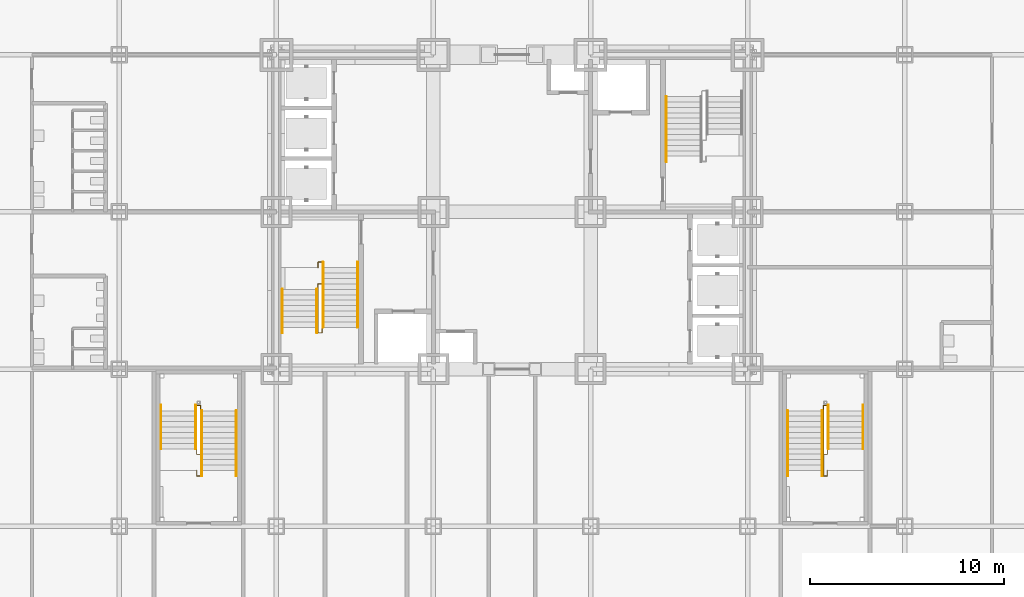
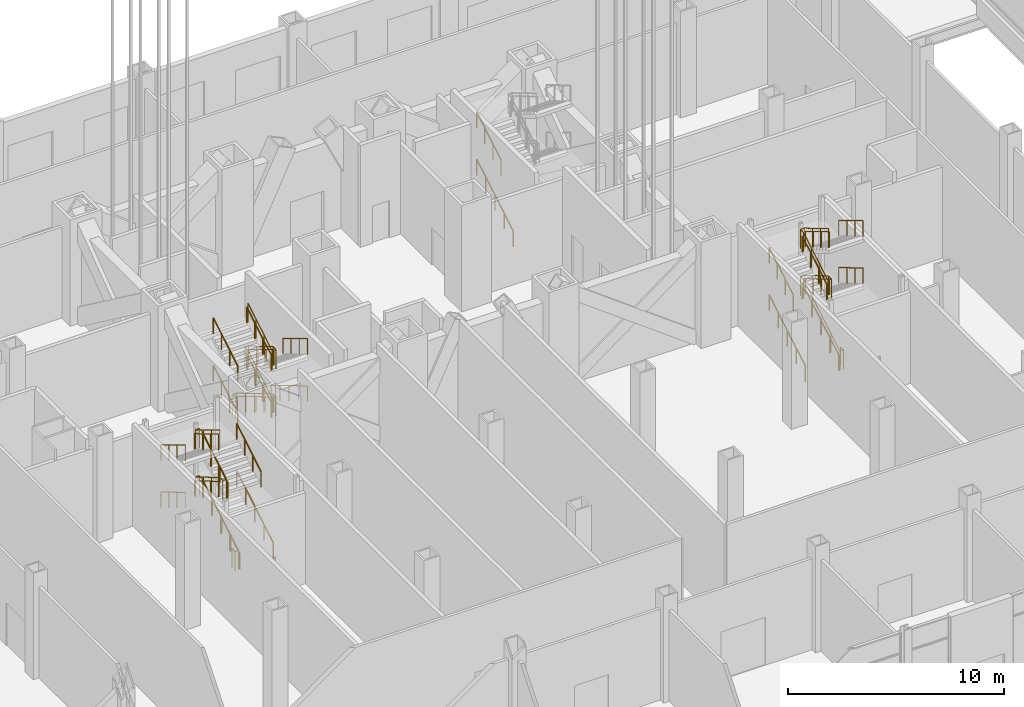
# One storey, part 28 of 35: 29 railings.
"""IFC4 building model written with IfcOpenShell, lengths in metres."""

from ifc_helpers import new_model, si_unit, direction, frame, origin, origin_2d, place, context, subcontext, project, spatial, circle, extrude, material, type_object, element, save


model = new_model("IFC4")

# Units and contexts
model_context = context("Model", 3, precision=1e-05, world=origin(), true_north=direction((0.0, 1.0)))
body_context = subcontext(model_context, "Body", "Model", "MODEL_VIEW")
ifc_project = project(units=[si_unit("LENGTHUNIT", "METRE"), si_unit("AREAUNIT", "SQUARE_METRE"), si_unit("VOLUMEUNIT", "CUBIC_METRE"), si_unit("PLANEANGLEUNIT", "RADIAN"), si_unit("MASSUNIT", "GRAM", prefix="KILO")], contexts=[model_context])

# Site, building, storey
site_placement = place(None, origin())
site = spatial("IfcSite", under=ifc_project, at=site_placement, CompositionType="ELEMENT")
building_placement = place(site_placement, origin())
building = spatial("IfcBuilding", under=site, at=building_placement, Name="Kopane Lantern Tower", CompositionType="ELEMENT")
storey_placement = place(building_placement, origin())
storey = spatial("IfcBuildingStorey", under=building, at=storey_placement, Name="L00", CompositionType="ELEMENT", Elevation=0.0)

# Railings
ifc_material_1 = material(Name="Steel", Category="steel")
railing_type_1 = type_object("IfcRailingType", Name="STAIR GUARD 1100", PredefinedType="GUARDRAIL", material=ifc_material_1)
railing_1_placement = place(storey_placement, frame((18.35009765625, 29.530029296875, 0.0)))
element("IfcRailing", 1, at=railing_1_placement, inside=storey, type_object=railing_type_1, Name="ST1 well guard L00", PredefinedType="GUARDRAIL", context=body_context, shape_type="SweptSolid", body=[
    extrude(circle(Radius=0.02392578125, at=origin_2d()), frame((0.0, 0.0, 1.076171875), z_axis=(0.0, 1.0, 0.0), x_axis=(-1.0, 0.0, 0.0)), (0.0, 0.0, 1.0), 0.280029296875),
    extrude(circle(Radius=0.02392578125, at=origin_2d()), frame((0.0, 0.280029296875, 1.076171875), z_axis=(1.0, 0.0, 0.0), x_axis=(0.0, 1.0, 0.0)), (0.0, 0.0, 1.0), 0.199951171875),
    extrude(circle(Radius=0.02392578125, at=origin_2d()), frame((0.199951171875, 0.280029296875, 1.076171875), z_axis=(0.0, -0.859300071335, 0.511471785539), x_axis=(1.0, 0.0, 0.0)), (0.0, 0.0, 1.0), 3.910400390625),
    extrude(circle(Radius=0.02392578125, at=origin_2d()), frame((0.199951171875, -3.080078125, 3.076171875), z_axis=(0.0, -1.0, 0.0), x_axis=(1.0, 0.0, 0.0)), (0.0, 0.0, 1.0), 0.280029296875),
    extrude(circle(Radius=0.02392578125, at=origin_2d()), frame((0.199951171875, -3.360107421875, 3.076171875), z_axis=(-1.0, 0.0, 0.0), x_axis=(0.0, -1.0, 0.0)), (0.0, 0.0, 1.0), 0.199951171875),
    extrude(circle(Radius=0.02392578125, at=origin_2d()), frame((0.0, -3.360107421875, 3.076171875), z_axis=(0.0, 0.859305625298, 0.511462454469), x_axis=(-1.0, 0.0, 0.0)), (0.0, 0.0, 1.0), 2.606689453125),
    extrude(circle(Radius=0.02392578125, at=origin_2d()), frame((0.0, -1.1201171875, 4.4091796875), z_axis=(0.0, 1.0, 0.0), x_axis=(-1.0, 0.0, 0.0)), (0.0, 0.0, 1.0), 0.280029296875),
    extrude(circle(Radius=0.02392578125, at=origin_2d()), frame((0.0, -0.840087890625, 4.4091796875), z_axis=(1.0, 0.0, 0.0), x_axis=(0.0, 1.0, 0.0)), (0.0, 0.0, 1.0), 0.199951171875),
    extrude(circle(Radius=0.02392578125, at=origin_2d()), frame((0.199951171875, -0.840087890625, 4.4091796875), z_axis=(0.0, -0.859264461869, 0.511531606619), x_axis=(1.0, 0.0, 0.0)), (0.0, 0.0, 1.0), 2.60693359375),
    extrude(circle(Radius=0.02392578125, at=origin_2d()), frame((0.199951171875, -3.080078125, 5.74267578125), z_axis=(0.0, -1.0, 0.0), x_axis=(1.0, 0.0, 0.0)), (0.0, 0.0, 1.0), 0.280029296875),
    extrude(circle(Radius=0.02392578125, at=origin_2d()), frame((0.199951171875, -3.360107421875, 5.74267578125), z_axis=(-1.0, 0.0, 0.0), x_axis=(0.0, -1.0, 0.0)), (0.0, 0.0, 1.0), 0.199951171875),
    extrude(circle(Radius=0.02392578125, at=origin_2d()), frame((0.0, -3.360107421875, 5.74267578125), z_axis=(0.0, 0.859305625298, 0.511462454469), x_axis=(-1.0, 0.0, 0.0)), (0.0, 0.0, 1.0), 2.606689453125),
    extrude(circle(Radius=0.02099609375, at=origin_2d()), origin(), (0.0, 0.0, 1.0), 1.052001953125),
    extrude(circle(Radius=0.02099609375, at=origin_2d()), frame((0.0, 0.280029296875, 0.0)), (0.0, 0.0, 1.0), 1.052001953125),
    extrude(circle(Radius=0.02099609375, at=origin_2d()), frame((0.199951171875, 0.280029296875, 0.0)), (0.0, 0.0, 1.0), 1.052001953125),
    extrude(circle(Radius=0.02099609375, at=origin_2d()), frame((0.199951171875, -0.56005859375, 0.5)), (0.0, 0.0, 1.0), 1.052001953125),
    extrude(circle(Radius=0.02099609375, at=origin_2d()), frame((0.199951171875, -1.39990234375, 1.0)), (0.0, 0.0, 1.0), 1.052001953125),
    extrude(circle(Radius=0.02099609375, at=origin_2d()), frame((0.199951171875, -2.239990234375, 1.5)), (0.0, 0.0, 1.0), 1.052001953125),
    extrude(circle(Radius=0.02099609375, at=origin_2d()), frame((0.199951171875, -3.080078125, 2.0)), (0.0, 0.0, 1.0), 1.052001953125),
    extrude(circle(Radius=0.02099609375, at=origin_2d()), frame((0.199951171875, -3.360107421875, 2.0)), (0.0, 0.0, 1.0), 1.052001953125),
    extrude(circle(Radius=0.02099609375, at=origin_2d()), frame((0.0, -3.360107421875, 2.0)), (0.0, 0.0, 1.0), 1.052001953125),
    extrude(circle(Radius=0.02099609375, at=origin_2d()), frame((0.0, -2.613525390625, 2.4443359375)), (0.0, 0.0, 1.0), 1.052001953125),
    extrude(circle(Radius=0.02099609375, at=origin_2d()), frame((0.0, -1.86669921875, 2.888916015625)), (0.0, 0.0, 1.0), 1.052001953125),
    extrude(circle(Radius=0.02099609375, at=origin_2d()), frame((0.0, -1.1201171875, 3.333251953125)), (0.0, 0.0, 1.0), 1.052001953125),
    extrude(circle(Radius=0.02099609375, at=origin_2d()), frame((0.0, -0.840087890625, 3.333251953125)), (0.0, 0.0, 1.0), 1.052001953125),
    extrude(circle(Radius=0.02099609375, at=origin_2d()), frame((0.199951171875, -0.840087890625, 3.333251953125)), (0.0, 0.0, 1.0), 1.052001953125),
    extrude(circle(Radius=0.02099609375, at=origin_2d()), frame((0.199951171875, -1.586669921875, 3.77783203125)), (0.0, 0.0, 1.0), 1.052001953125),
    extrude(circle(Radius=0.02099609375, at=origin_2d()), frame((0.199951171875, -2.33349609375, 4.22216796875)), (0.0, 0.0, 1.0), 1.052001953125),
    extrude(circle(Radius=0.02099609375, at=origin_2d()), frame((0.199951171875, -3.080078125, 4.666748046875)), (0.0, 0.0, 1.0), 1.052001953125),
    extrude(circle(Radius=0.02099609375, at=origin_2d()), frame((0.199951171875, -3.360107421875, 4.666748046875)), (0.0, 0.0, 1.0), 1.052001953125),
    extrude(circle(Radius=0.02099609375, at=origin_2d()), frame((0.0, -3.360107421875, 4.666748046875)), (0.0, 0.0, 1.0), 1.052001953125),
    extrude(circle(Radius=0.02099609375, at=origin_2d()), frame((0.0, -2.613525390625, 5.111083984375)), (0.0, 0.0, 1.0), 1.052001953125),
    extrude(circle(Radius=0.02099609375, at=origin_2d()), frame((0.0, -1.86669921875, 5.5556640625)), (0.0, 0.0, 1.0), 1.052001953125),
    extrude(circle(Radius=0.02099609375, at=origin_2d()), frame((0.0, -1.1201171875, 6.0)), (0.0, 0.0, 1.0), 1.052001953125),
])
railing_2_placement = place(storey_placement, frame((12.10009765625, 19.070068359375, 0.0)))
element("IfcRailing", 2, at=railing_2_placement, inside=storey, type_object=railing_type_1, Name="ST3 well guard L00", PredefinedType="GUARDRAIL", context=body_context, shape_type="SweptSolid", body=[
    extrude(circle(Radius=0.02392578125, at=origin_2d()), frame((0.0, 0.0, 1.076171875), z_axis=(0.0, -1.0, 0.0), x_axis=(1.0, 0.0, 0.0)), (0.0, 0.0, 1.0), 0.280029296875),
    extrude(circle(Radius=0.02392578125, at=origin_2d()), frame((0.0, -0.280029296875, 1.076171875), z_axis=(1.0, 0.0, 0.0), x_axis=(0.0, 1.0, 0.0)), (0.0, 0.0, 1.0), 0.199951171875),
    extrude(circle(Radius=0.02392578125, at=origin_2d()), frame((0.199951171875, -0.280029296875, 1.076171875), z_axis=(0.0, 0.859283736677, 0.511499227646), x_axis=(-1.0, 0.0, 0.0)), (0.0, 0.0, 1.0), 3.91015625),
    extrude(circle(Radius=0.02392578125, at=origin_2d()), frame((0.199951171875, 3.079833984375, 3.076171875), z_axis=(0.0, 1.0, 0.0), x_axis=(-1.0, 0.0, 0.0)), (0.0, 0.0, 1.0), 0.280029296875),
    extrude(circle(Radius=0.02392578125, at=origin_2d()), frame((0.199951171875, 3.35986328125, 3.076171875), z_axis=(-1.0, 0.0, 0.0), x_axis=(0.0, -1.0, 0.0)), (0.0, 0.0, 1.0), 0.199951171875),
    extrude(circle(Radius=0.02392578125, at=origin_2d()), frame((0.0, 3.35986328125, 3.076171875), z_axis=(0.0, -0.859305625298, 0.511462454469), x_axis=(1.0, 0.0, 0.0)), (0.0, 0.0, 1.0), 2.606689453125),
    extrude(circle(Radius=0.02392578125, at=origin_2d()), frame((0.0, 1.119873046875, 4.4091796875), z_axis=(0.0, -1.0, 0.0), x_axis=(1.0, 0.0, 0.0)), (0.0, 0.0, 1.0), 0.280029296875),
    extrude(circle(Radius=0.02392578125, at=origin_2d()), frame((0.0, 0.83984375, 4.4091796875), z_axis=(1.0, 0.0, 0.0), x_axis=(0.0, 1.0, 0.0)), (0.0, 0.0, 1.0), 0.199951171875),
    extrude(circle(Radius=0.02392578125, at=origin_2d()), frame((0.199951171875, 0.83984375, 4.4091796875), z_axis=(0.0, 0.859264461869, 0.511531606619), x_axis=(-1.0, 0.0, 0.0)), (0.0, 0.0, 1.0), 2.60693359375),
    extrude(circle(Radius=0.02392578125, at=origin_2d()), frame((0.199951171875, 3.079833984375, 5.74267578125), z_axis=(0.0, 1.0, 0.0), x_axis=(-1.0, 0.0, 0.0)), (0.0, 0.0, 1.0), 0.280029296875),
    extrude(circle(Radius=0.02392578125, at=origin_2d()), frame((0.199951171875, 3.35986328125, 5.74267578125), z_axis=(-1.0, 0.0, 0.0), x_axis=(0.0, -1.0, 0.0)), (0.0, 0.0, 1.0), 0.199951171875),
    extrude(circle(Radius=0.02392578125, at=origin_2d()), frame((0.0, 3.35986328125, 5.74267578125), z_axis=(0.0, -0.859305625298, 0.511462454469), x_axis=(1.0, 0.0, 0.0)), (0.0, 0.0, 1.0), 2.606689453125),
    extrude(circle(Radius=0.02099609375, at=origin_2d()), origin(), (0.0, 0.0, 1.0), 1.052001953125),
    extrude(circle(Radius=0.02099609375, at=origin_2d()), frame((0.0, -0.280029296875, 0.0)), (0.0, 0.0, 1.0), 1.052001953125),
    extrude(circle(Radius=0.02099609375, at=origin_2d()), frame((0.199951171875, -0.280029296875, 0.0)), (0.0, 0.0, 1.0), 1.052001953125),
    extrude(circle(Radius=0.02099609375, at=origin_2d()), frame((0.199951171875, 0.56005859375, 0.5)), (0.0, 0.0, 1.0), 1.052001953125),
    extrude(circle(Radius=0.02099609375, at=origin_2d()), frame((0.199951171875, 1.39990234375, 1.0)), (0.0, 0.0, 1.0), 1.052001953125),
    extrude(circle(Radius=0.02099609375, at=origin_2d()), frame((0.199951171875, 2.23974609375, 1.5)), (0.0, 0.0, 1.0), 1.052001953125),
    extrude(circle(Radius=0.02099609375, at=origin_2d()), frame((0.199951171875, 3.079833984375, 2.0)), (0.0, 0.0, 1.0), 1.052001953125),
    extrude(circle(Radius=0.02099609375, at=origin_2d()), frame((0.199951171875, 3.35986328125, 2.0)), (0.0, 0.0, 1.0), 1.052001953125),
    extrude(circle(Radius=0.02099609375, at=origin_2d()), frame((0.0, 3.35986328125, 2.0)), (0.0, 0.0, 1.0), 1.052001953125),
    extrude(circle(Radius=0.02099609375, at=origin_2d()), frame((0.0, 2.61328125, 2.4443359375)), (0.0, 0.0, 1.0), 1.052001953125),
    extrude(circle(Radius=0.02099609375, at=origin_2d()), frame((0.0, 1.866455078125, 2.888916015625)), (0.0, 0.0, 1.0), 1.052001953125),
    extrude(circle(Radius=0.02099609375, at=origin_2d()), frame((0.0, 1.119873046875, 3.333251953125)), (0.0, 0.0, 1.0), 1.052001953125),
    extrude(circle(Radius=0.02099609375, at=origin_2d()), frame((0.0, 0.83984375, 3.333251953125)), (0.0, 0.0, 1.0), 1.052001953125),
    extrude(circle(Radius=0.02099609375, at=origin_2d()), frame((0.199951171875, 0.83984375, 3.333251953125)), (0.0, 0.0, 1.0), 1.052001953125),
    extrude(circle(Radius=0.02099609375, at=origin_2d()), frame((0.199951171875, 1.58642578125, 3.77783203125)), (0.0, 0.0, 1.0), 1.052001953125),
    extrude(circle(Radius=0.02099609375, at=origin_2d()), frame((0.199951171875, 2.333251953125, 4.22216796875)), (0.0, 0.0, 1.0), 1.052001953125),
    extrude(circle(Radius=0.02099609375, at=origin_2d()), frame((0.199951171875, 3.079833984375, 4.666748046875)), (0.0, 0.0, 1.0), 1.052001953125),
    extrude(circle(Radius=0.02099609375, at=origin_2d()), frame((0.199951171875, 3.35986328125, 4.666748046875)), (0.0, 0.0, 1.0), 1.052001953125),
    extrude(circle(Radius=0.02099609375, at=origin_2d()), frame((0.0, 3.35986328125, 4.666748046875)), (0.0, 0.0, 1.0), 1.052001953125),
    extrude(circle(Radius=0.02099609375, at=origin_2d()), frame((0.0, 2.61328125, 5.111083984375)), (0.0, 0.0, 1.0), 1.052001953125),
    extrude(circle(Radius=0.02099609375, at=origin_2d()), frame((0.0, 1.866455078125, 5.5556640625)), (0.0, 0.0, 1.0), 1.052001953125),
    extrude(circle(Radius=0.02099609375, at=origin_2d()), frame((0.0, 1.119873046875, 6.0)), (0.0, 0.0, 1.0), 1.052001953125),
])
railing_3_placement = place(storey_placement, frame((44.60009765625, 19.070068359375, 0.0)))
element("IfcRailing", 3, at=railing_3_placement, inside=storey, type_object=railing_type_1, Name="ST4 well guard L00", PredefinedType="GUARDRAIL", context=body_context, shape_type="SweptSolid", body=[
    extrude(circle(Radius=0.02392578125, at=origin_2d()), frame((0.0, 0.0, 1.076171875), z_axis=(0.0, -1.0, 0.0), x_axis=(1.0, 0.0, 0.0)), (0.0, 0.0, 1.0), 0.280029296875),
    extrude(circle(Radius=0.02392578125, at=origin_2d()), frame((0.0, -0.280029296875, 1.076171875), z_axis=(-1.0, 0.0, 0.0), x_axis=(0.0, -1.0, 0.0)), (0.0, 0.0, 1.0), 0.2001953125),
    extrude(circle(Radius=0.02392578125, at=origin_2d()), frame((-0.2001953125, -0.280029296875, 1.076171875), z_axis=(0.0, 0.859283736677, 0.511499227646), x_axis=(-1.0, 0.0, 0.0)), (0.0, 0.0, 1.0), 3.91015625),
    extrude(circle(Radius=0.02392578125, at=origin_2d()), frame((-0.2001953125, 3.079833984375, 3.076171875), z_axis=(0.0, 1.0, 0.0), x_axis=(-1.0, 0.0, 0.0)), (0.0, 0.0, 1.0), 0.280029296875),
    extrude(circle(Radius=0.02392578125, at=origin_2d()), frame((-0.2001953125, 3.35986328125, 3.076171875), z_axis=(1.0, 0.0, 0.0), x_axis=(0.0, 1.0, 0.0)), (0.0, 0.0, 1.0), 0.2001953125),
    extrude(circle(Radius=0.02392578125, at=origin_2d()), frame((0.0, 3.35986328125, 3.076171875), z_axis=(0.0, -0.859305625298, 0.511462454469), x_axis=(1.0, 0.0, 0.0)), (0.0, 0.0, 1.0), 2.606689453125),
    extrude(circle(Radius=0.02392578125, at=origin_2d()), frame((0.0, 1.119873046875, 4.4091796875), z_axis=(0.0, -1.0, 0.0), x_axis=(1.0, 0.0, 0.0)), (0.0, 0.0, 1.0), 0.280029296875),
    extrude(circle(Radius=0.02392578125, at=origin_2d()), frame((0.0, 0.83984375, 4.4091796875), z_axis=(-1.0, 0.0, 0.0), x_axis=(0.0, -1.0, 0.0)), (0.0, 0.0, 1.0), 0.2001953125),
    extrude(circle(Radius=0.02392578125, at=origin_2d()), frame((-0.2001953125, 0.83984375, 4.4091796875), z_axis=(0.0, 0.859264461869, 0.511531606619), x_axis=(-1.0, 0.0, 0.0)), (0.0, 0.0, 1.0), 2.60693359375),
    extrude(circle(Radius=0.02392578125, at=origin_2d()), frame((-0.2001953125, 3.079833984375, 5.74267578125), z_axis=(0.0, 1.0, 0.0), x_axis=(-1.0, 0.0, 0.0)), (0.0, 0.0, 1.0), 0.280029296875),
    extrude(circle(Radius=0.02392578125, at=origin_2d()), frame((-0.2001953125, 3.35986328125, 5.74267578125), z_axis=(1.0, 0.0, 0.0), x_axis=(0.0, 1.0, 0.0)), (0.0, 0.0, 1.0), 0.2001953125),
    extrude(circle(Radius=0.02392578125, at=origin_2d()), frame((0.0, 3.35986328125, 5.74267578125), z_axis=(0.0, -0.859305625298, 0.511462454469), x_axis=(1.0, 0.0, 0.0)), (0.0, 0.0, 1.0), 2.606689453125),
    extrude(circle(Radius=0.02099609375, at=origin_2d()), origin(), (0.0, 0.0, 1.0), 1.052001953125),
    extrude(circle(Radius=0.02099609375, at=origin_2d()), frame((0.0, -0.280029296875, 0.0)), (0.0, 0.0, 1.0), 1.052001953125),
    extrude(circle(Radius=0.02099609375, at=origin_2d()), frame((-0.2001953125, -0.280029296875, 0.0)), (0.0, 0.0, 1.0), 1.052001953125),
    extrude(circle(Radius=0.02099609375, at=origin_2d()), frame((-0.2001953125, 0.56005859375, 0.5)), (0.0, 0.0, 1.0), 1.052001953125),
    extrude(circle(Radius=0.02099609375, at=origin_2d()), frame((-0.2001953125, 1.39990234375, 1.0)), (0.0, 0.0, 1.0), 1.052001953125),
    extrude(circle(Radius=0.02099609375, at=origin_2d()), frame((-0.2001953125, 2.23974609375, 1.5)), (0.0, 0.0, 1.0), 1.052001953125),
    extrude(circle(Radius=0.02099609375, at=origin_2d()), frame((-0.2001953125, 3.079833984375, 2.0)), (0.0, 0.0, 1.0), 1.052001953125),
    extrude(circle(Radius=0.02099609375, at=origin_2d()), frame((-0.2001953125, 3.35986328125, 2.0)), (0.0, 0.0, 1.0), 1.052001953125),
    extrude(circle(Radius=0.02099609375, at=origin_2d()), frame((0.0, 3.35986328125, 2.0)), (0.0, 0.0, 1.0), 1.052001953125),
    extrude(circle(Radius=0.02099609375, at=origin_2d()), frame((0.0, 2.61328125, 2.4443359375)), (0.0, 0.0, 1.0), 1.052001953125),
    extrude(circle(Radius=0.02099609375, at=origin_2d()), frame((0.0, 1.866455078125, 2.888916015625)), (0.0, 0.0, 1.0), 1.052001953125),
    extrude(circle(Radius=0.02099609375, at=origin_2d()), frame((0.0, 1.119873046875, 3.333251953125)), (0.0, 0.0, 1.0), 1.052001953125),
    extrude(circle(Radius=0.02099609375, at=origin_2d()), frame((0.0, 0.83984375, 3.333251953125)), (0.0, 0.0, 1.0), 1.052001953125),
    extrude(circle(Radius=0.02099609375, at=origin_2d()), frame((-0.2001953125, 0.83984375, 3.333251953125)), (0.0, 0.0, 1.0), 1.052001953125),
    extrude(circle(Radius=0.02099609375, at=origin_2d()), frame((-0.2001953125, 1.58642578125, 3.77783203125)), (0.0, 0.0, 1.0), 1.052001953125),
    extrude(circle(Radius=0.02099609375, at=origin_2d()), frame((-0.2001953125, 2.333251953125, 4.22216796875)), (0.0, 0.0, 1.0), 1.052001953125),
    extrude(circle(Radius=0.02099609375, at=origin_2d()), frame((-0.2001953125, 3.079833984375, 4.666748046875)), (0.0, 0.0, 1.0), 1.052001953125),
    extrude(circle(Radius=0.02099609375, at=origin_2d()), frame((-0.2001953125, 3.35986328125, 4.666748046875)), (0.0, 0.0, 1.0), 1.052001953125),
    extrude(circle(Radius=0.02099609375, at=origin_2d()), frame((0.0, 3.35986328125, 4.666748046875)), (0.0, 0.0, 1.0), 1.052001953125),
    extrude(circle(Radius=0.02099609375, at=origin_2d()), frame((0.0, 2.61328125, 5.111083984375)), (0.0, 0.0, 1.0), 1.052001953125),
    extrude(circle(Radius=0.02099609375, at=origin_2d()), frame((0.0, 1.866455078125, 5.5556640625)), (0.0, 0.0, 1.0), 1.052001953125),
    extrude(circle(Radius=0.02099609375, at=origin_2d()), frame((0.0, 1.119873046875, 6.0)), (0.0, 0.0, 1.0), 1.052001953125),
])
ifc_material_2 = material(Name="Steel", Category="steel")
railing_type_2 = type_object("IfcRailingType", Name="STAIR HANDRAIL 900", PredefinedType="HANDRAIL", material=ifc_material_2)
for number, where, name in (
    (4, (20.389892578125, 29.81005859375, 0.0), "ST1 handrail L00 flight 1"),
    (5, (18.610107421875, 29.81005859375, 0.0), "ST1 handrail L00 flight 1"),
):
    element("IfcRailing", number, at=place(storey_placement, frame(where)), inside=storey, type_object=railing_type_2, Name=name, PredefinedType="HANDRAIL", context=body_context, shape_type="SweptSolid", body=[
        extrude(circle(Radius=0.02392578125, at=origin_2d()), frame((0.0, 0.0, 0.8759765625), z_axis=(0.0, -0.859300071335, 0.511471785539), x_axis=(1.0, 0.0, 0.0)), (0.0, 0.0, 1.0), 3.910400390625),
        extrude(circle(Radius=0.02099609375, at=origin_2d()), origin(), (0.0, 0.0, 1.0), 0.851806640625),
        extrude(circle(Radius=0.02099609375, at=origin_2d()), frame((0.0, -0.840087890625, 0.5)), (0.0, 0.0, 1.0), 0.851806640625),
        extrude(circle(Radius=0.02099609375, at=origin_2d()), frame((0.0, -1.68017578125, 1.0)), (0.0, 0.0, 1.0), 0.851806640625),
        extrude(circle(Radius=0.02099609375, at=origin_2d()), frame((0.0, -2.52001953125, 1.5)), (0.0, 0.0, 1.0), 0.851806640625),
        extrude(circle(Radius=0.02099609375, at=origin_2d()), frame((0.0, -3.360107421875, 2.0)), (0.0, 0.0, 1.0), 0.851806640625),
    ])
for number, where, name in (
    (6, (16.510009765625, 26.169921875, 2.0), "ST1 handrail L00 flight 2"),
    (7, (18.2900390625, 26.169921875, 2.0), "ST1 handrail L00 flight 2"),
):
    element("IfcRailing", number, at=place(storey_placement, frame(where)), inside=storey, type_object=railing_type_2, Name=name, PredefinedType="HANDRAIL", context=body_context, shape_type="SweptSolid", body=[
        extrude(circle(Radius=0.02392578125, at=origin_2d()), frame((0.0, 0.0, 0.8759765625), z_axis=(0.0, 0.859305625298, 0.511462454469), x_axis=(-1.0, 0.0, 0.0)), (0.0, 0.0, 1.0), 2.606689453125),
        extrude(circle(Radius=0.02099609375, at=origin_2d()), origin(), (0.0, 0.0, 1.0), 0.851806640625),
        extrude(circle(Radius=0.02099609375, at=origin_2d()), frame((0.0, 0.74658203125, 0.4443359375)), (0.0, 0.0, 1.0), 0.851806640625),
        extrude(circle(Radius=0.02099609375, at=origin_2d()), frame((0.0, 1.493408203125, 0.888916015625)), (0.0, 0.0, 1.0), 0.851806640625),
        extrude(circle(Radius=0.02099609375, at=origin_2d()), frame((0.0, 2.239990234375, 1.333251953125)), (0.0, 0.0, 1.0), 0.851806640625),
    ])
for number, where, name in (
    (8, (20.389892578125, 28.68994140625, 3.333251953125), "ST1 handrail L00 flight 3"),
    (9, (18.610107421875, 28.68994140625, 3.333251953125), "ST1 handrail L00 flight 3"),
):
    element("IfcRailing", number, at=place(storey_placement, frame(where)), inside=storey, type_object=railing_type_2, Name=name, PredefinedType="HANDRAIL", context=body_context, shape_type="SweptSolid", body=[
        extrude(circle(Radius=0.02392578125, at=origin_2d()), frame((0.0, 0.0, 0.8759765625), z_axis=(0.0, -0.859264461869, 0.511531606619), x_axis=(1.0, 0.0, 0.0)), (0.0, 0.0, 1.0), 2.60693359375),
        extrude(circle(Radius=0.02099609375, at=origin_2d()), origin(), (0.0, 0.0, 1.0), 0.851806640625),
        extrude(circle(Radius=0.02099609375, at=origin_2d()), frame((0.0, -0.74658203125, 0.444580078125)), (0.0, 0.0, 1.0), 0.851806640625),
        extrude(circle(Radius=0.02099609375, at=origin_2d()), frame((0.0, -1.493408203125, 0.888916015625)), (0.0, 0.0, 1.0), 0.851806640625),
        extrude(circle(Radius=0.02099609375, at=origin_2d()), frame((0.0, -2.239990234375, 1.33349609375)), (0.0, 0.0, 1.0), 0.851806640625),
    ])
for number, where, name in (
    (10, (16.510009765625, 26.169921875, 4.666748046875), "ST1 handrail L00 flight 4"),
    (11, (18.2900390625, 26.169921875, 4.666748046875), "ST1 handrail L00 flight 4"),
):
    element("IfcRailing", number, at=place(storey_placement, frame(where)), inside=storey, type_object=railing_type_2, Name=name, PredefinedType="HANDRAIL", context=body_context, shape_type="SweptSolid", body=[
        extrude(circle(Radius=0.02392578125, at=origin_2d()), frame((0.0, 0.0, 0.8759765625), z_axis=(0.0, 0.859305625298, 0.511462454469), x_axis=(-1.0, 0.0, 0.0)), (0.0, 0.0, 1.0), 2.606689453125),
        extrude(circle(Radius=0.02099609375, at=origin_2d()), origin(), (0.0, 0.0, 1.0), 0.851806640625),
        extrude(circle(Radius=0.02099609375, at=origin_2d()), frame((0.0, 0.74658203125, 0.4443359375)), (0.0, 0.0, 1.0), 0.851806640625),
        extrude(circle(Radius=0.02099609375, at=origin_2d()), frame((0.0, 1.493408203125, 0.888916015625)), (0.0, 0.0, 1.0), 0.851806640625),
        extrude(circle(Radius=0.02099609375, at=origin_2d()), frame((0.0, 2.239990234375, 1.333251953125)), (0.0, 0.0, 1.0), 0.851806640625),
    ])
railing_4_placement = place(storey_placement, frame((36.31005859375, 34.989990234375, 0.0)))
element("IfcRailing", 12, at=railing_4_placement, inside=storey, type_object=railing_type_2, Name="ST2 handrail L00 flight 1", PredefinedType="HANDRAIL", context=body_context, shape_type="SweptSolid", body=[
    extrude(circle(Radius=0.02392578125, at=origin_2d()), frame((0.0, 0.0, 0.8759765625), z_axis=(0.0, 0.859300071335, 0.511471785539), x_axis=(-1.0, 0.0, 0.0)), (0.0, 0.0, 1.0), 3.910400390625),
    extrude(circle(Radius=0.02099609375, at=origin_2d()), origin(), (0.0, 0.0, 1.0), 0.851806640625),
    extrude(circle(Radius=0.02099609375, at=origin_2d()), frame((0.0, 0.840087890625, 0.5)), (0.0, 0.0, 1.0), 0.851806640625),
    extrude(circle(Radius=0.02099609375, at=origin_2d()), frame((0.0, 1.68017578125, 1.0)), (0.0, 0.0, 1.0), 0.851806640625),
    extrude(circle(Radius=0.02099609375, at=origin_2d()), frame((0.0, 2.52001953125, 1.5)), (0.0, 0.0, 1.0), 0.851806640625),
    extrude(circle(Radius=0.02099609375, at=origin_2d()), frame((0.0, 3.360107421875, 2.0)), (0.0, 0.0, 1.0), 0.851806640625),
])
railing_5_placement = place(storey_placement, frame((36.31005859375, 36.110107421875, 3.333251953125)))
element("IfcRailing", 13, at=railing_5_placement, inside=storey, type_object=railing_type_2, Name="ST2 handrail L00 flight 3", PredefinedType="HANDRAIL", context=body_context, shape_type="SweptSolid", body=[
    extrude(circle(Radius=0.02392578125, at=origin_2d()), frame((0.0, 0.0, 0.8759765625), z_axis=(0.0, 0.859264461869, 0.511531606619), x_axis=(-1.0, 0.0, 0.0)), (0.0, 0.0, 1.0), 2.60693359375),
    extrude(circle(Radius=0.02099609375, at=origin_2d()), origin(), (0.0, 0.0, 1.0), 0.851806640625),
    extrude(circle(Radius=0.02099609375, at=origin_2d()), frame((0.0, 0.74658203125, 0.444580078125)), (0.0, 0.0, 1.0), 0.851806640625),
    extrude(circle(Radius=0.02099609375, at=origin_2d()), frame((0.0, 1.493408203125, 0.888916015625)), (0.0, 0.0, 1.0), 0.851806640625),
    extrude(circle(Radius=0.02099609375, at=origin_2d()), frame((0.0, 2.239990234375, 1.33349609375)), (0.0, 0.0, 1.0), 0.851806640625),
])
for number, where, name in (
    (14, (14.139892578125, 18.7900390625, 0.0), "ST3 handrail L00 flight 1"),
    (15, (12.360107421875, 18.7900390625, 0.0), "ST3 handrail L00 flight 1"),
):
    element("IfcRailing", number, at=place(storey_placement, frame(where)), inside=storey, type_object=railing_type_2, Name=name, PredefinedType="HANDRAIL", context=body_context, shape_type="SweptSolid", body=[
        extrude(circle(Radius=0.02392578125, at=origin_2d()), frame((0.0, 0.0, 0.8759765625), z_axis=(0.0, 0.859283736677, 0.511499227646), x_axis=(-1.0, 0.0, 0.0)), (0.0, 0.0, 1.0), 3.91015625),
        extrude(circle(Radius=0.02099609375, at=origin_2d()), origin(), (0.0, 0.0, 1.0), 0.851806640625),
        extrude(circle(Radius=0.02099609375, at=origin_2d()), frame((0.0, 0.83984375, 0.5)), (0.0, 0.0, 1.0), 0.851806640625),
        extrude(circle(Radius=0.02099609375, at=origin_2d()), frame((0.0, 1.679931640625, 1.0)), (0.0, 0.0, 1.0), 0.851806640625),
        extrude(circle(Radius=0.02099609375, at=origin_2d()), frame((0.0, 2.52001953125, 1.5)), (0.0, 0.0, 1.0), 0.851806640625),
        extrude(circle(Radius=0.02099609375, at=origin_2d()), frame((0.0, 3.35986328125, 2.0)), (0.0, 0.0, 1.0), 0.851806640625),
    ])
for number, where, name in (
    (16, (10.260009765625, 22.429931640625, 2.0), "ST3 handrail L00 flight 2"),
    (17, (12.0400390625, 22.429931640625, 2.0), "ST3 handrail L00 flight 2"),
):
    element("IfcRailing", number, at=place(storey_placement, frame(where)), inside=storey, type_object=railing_type_2, Name=name, PredefinedType="HANDRAIL", context=body_context, shape_type="SweptSolid", body=[
        extrude(circle(Radius=0.02392578125, at=origin_2d()), frame((0.0, 0.0, 0.8759765625), z_axis=(0.0, -0.859305625298, 0.511462454469), x_axis=(1.0, 0.0, 0.0)), (0.0, 0.0, 1.0), 2.606689453125),
        extrude(circle(Radius=0.02099609375, at=origin_2d()), origin(), (0.0, 0.0, 1.0), 0.851806640625),
        extrude(circle(Radius=0.02099609375, at=origin_2d()), frame((0.0, -0.74658203125, 0.4443359375)), (0.0, 0.0, 1.0), 0.851806640625),
        extrude(circle(Radius=0.02099609375, at=origin_2d()), frame((0.0, -1.493408203125, 0.888916015625)), (0.0, 0.0, 1.0), 0.851806640625),
        extrude(circle(Radius=0.02099609375, at=origin_2d()), frame((0.0, -2.239990234375, 1.333251953125)), (0.0, 0.0, 1.0), 0.851806640625),
    ])
for number, where, name in (
    (18, (14.139892578125, 19.909912109375, 3.333251953125), "ST3 handrail L00 flight 3"),
    (19, (12.360107421875, 19.909912109375, 3.333251953125), "ST3 handrail L00 flight 3"),
):
    element("IfcRailing", number, at=place(storey_placement, frame(where)), inside=storey, type_object=railing_type_2, Name=name, PredefinedType="HANDRAIL", context=body_context, shape_type="SweptSolid", body=[
        extrude(circle(Radius=0.02392578125, at=origin_2d()), frame((0.0, 0.0, 0.8759765625), z_axis=(0.0, 0.859264461869, 0.511531606619), x_axis=(-1.0, 0.0, 0.0)), (0.0, 0.0, 1.0), 2.60693359375),
        extrude(circle(Radius=0.02099609375, at=origin_2d()), origin(), (0.0, 0.0, 1.0), 0.851806640625),
        extrude(circle(Radius=0.02099609375, at=origin_2d()), frame((0.0, 0.74658203125, 0.444580078125)), (0.0, 0.0, 1.0), 0.851806640625),
        extrude(circle(Radius=0.02099609375, at=origin_2d()), frame((0.0, 1.493408203125, 0.888916015625)), (0.0, 0.0, 1.0), 0.851806640625),
        extrude(circle(Radius=0.02099609375, at=origin_2d()), frame((0.0, 2.239990234375, 1.33349609375)), (0.0, 0.0, 1.0), 0.851806640625),
    ])
for number, where, name in (
    (20, (10.260009765625, 22.429931640625, 4.666748046875), "ST3 handrail L00 flight 4"),
    (21, (12.0400390625, 22.429931640625, 4.666748046875), "ST3 handrail L00 flight 4"),
):
    element("IfcRailing", number, at=place(storey_placement, frame(where)), inside=storey, type_object=railing_type_2, Name=name, PredefinedType="HANDRAIL", context=body_context, shape_type="SweptSolid", body=[
        extrude(circle(Radius=0.02392578125, at=origin_2d()), frame((0.0, 0.0, 0.8759765625), z_axis=(0.0, -0.859305625298, 0.511462454469), x_axis=(1.0, 0.0, 0.0)), (0.0, 0.0, 1.0), 2.606689453125),
        extrude(circle(Radius=0.02099609375, at=origin_2d()), origin(), (0.0, 0.0, 1.0), 0.851806640625),
        extrude(circle(Radius=0.02099609375, at=origin_2d()), frame((0.0, -0.74658203125, 0.4443359375)), (0.0, 0.0, 1.0), 0.851806640625),
        extrude(circle(Radius=0.02099609375, at=origin_2d()), frame((0.0, -1.493408203125, 0.888916015625)), (0.0, 0.0, 1.0), 0.851806640625),
        extrude(circle(Radius=0.02099609375, at=origin_2d()), frame((0.0, -2.239990234375, 1.333251953125)), (0.0, 0.0, 1.0), 0.851806640625),
    ])
for number, where, name in (
    (22, (42.56005859375, 18.7900390625, 0.0), "ST4 handrail L00 flight 1"),
    (23, (44.340087890625, 18.7900390625, 0.0), "ST4 handrail L00 flight 1"),
):
    element("IfcRailing", number, at=place(storey_placement, frame(where)), inside=storey, type_object=railing_type_2, Name=name, PredefinedType="HANDRAIL", context=body_context, shape_type="SweptSolid", body=[
        extrude(circle(Radius=0.02392578125, at=origin_2d()), frame((0.0, 0.0, 0.8759765625), z_axis=(0.0, 0.859283736677, 0.511499227646), x_axis=(-1.0, 0.0, 0.0)), (0.0, 0.0, 1.0), 3.91015625),
        extrude(circle(Radius=0.02099609375, at=origin_2d()), origin(), (0.0, 0.0, 1.0), 0.851806640625),
        extrude(circle(Radius=0.02099609375, at=origin_2d()), frame((0.0, 0.83984375, 0.5)), (0.0, 0.0, 1.0), 0.851806640625),
        extrude(circle(Radius=0.02099609375, at=origin_2d()), frame((0.0, 1.679931640625, 1.0)), (0.0, 0.0, 1.0), 0.851806640625),
        extrude(circle(Radius=0.02099609375, at=origin_2d()), frame((0.0, 2.52001953125, 1.5)), (0.0, 0.0, 1.0), 0.851806640625),
        extrude(circle(Radius=0.02099609375, at=origin_2d()), frame((0.0, 3.35986328125, 2.0)), (0.0, 0.0, 1.0), 0.851806640625),
    ])
for number, where, name in (
    (24, (46.43994140625, 22.429931640625, 2.0), "ST4 handrail L00 flight 2"),
    (25, (44.659912109375, 22.429931640625, 2.0), "ST4 handrail L00 flight 2"),
):
    element("IfcRailing", number, at=place(storey_placement, frame(where)), inside=storey, type_object=railing_type_2, Name=name, PredefinedType="HANDRAIL", context=body_context, shape_type="SweptSolid", body=[
        extrude(circle(Radius=0.02392578125, at=origin_2d()), frame((0.0, 0.0, 0.8759765625), z_axis=(0.0, -0.859305625298, 0.511462454469), x_axis=(1.0, 0.0, 0.0)), (0.0, 0.0, 1.0), 2.606689453125),
        extrude(circle(Radius=0.02099609375, at=origin_2d()), origin(), (0.0, 0.0, 1.0), 0.851806640625),
        extrude(circle(Radius=0.02099609375, at=origin_2d()), frame((0.0, -0.74658203125, 0.4443359375)), (0.0, 0.0, 1.0), 0.851806640625),
        extrude(circle(Radius=0.02099609375, at=origin_2d()), frame((0.0, -1.493408203125, 0.888916015625)), (0.0, 0.0, 1.0), 0.851806640625),
        extrude(circle(Radius=0.02099609375, at=origin_2d()), frame((0.0, -2.239990234375, 1.333251953125)), (0.0, 0.0, 1.0), 0.851806640625),
    ])
for number, where, name in (
    (26, (42.56005859375, 19.909912109375, 3.333251953125), "ST4 handrail L00 flight 3"),
    (27, (44.340087890625, 19.909912109375, 3.333251953125), "ST4 handrail L00 flight 3"),
):
    element("IfcRailing", number, at=place(storey_placement, frame(where)), inside=storey, type_object=railing_type_2, Name=name, PredefinedType="HANDRAIL", context=body_context, shape_type="SweptSolid", body=[
        extrude(circle(Radius=0.02392578125, at=origin_2d()), frame((0.0, 0.0, 0.8759765625), z_axis=(0.0, 0.859264461869, 0.511531606619), x_axis=(-1.0, 0.0, 0.0)), (0.0, 0.0, 1.0), 2.60693359375),
        extrude(circle(Radius=0.02099609375, at=origin_2d()), origin(), (0.0, 0.0, 1.0), 0.851806640625),
        extrude(circle(Radius=0.02099609375, at=origin_2d()), frame((0.0, 0.74658203125, 0.444580078125)), (0.0, 0.0, 1.0), 0.851806640625),
        extrude(circle(Radius=0.02099609375, at=origin_2d()), frame((0.0, 1.493408203125, 0.888916015625)), (0.0, 0.0, 1.0), 0.851806640625),
        extrude(circle(Radius=0.02099609375, at=origin_2d()), frame((0.0, 2.239990234375, 1.33349609375)), (0.0, 0.0, 1.0), 0.851806640625),
    ])
for number, where, name in (
    (28, (46.43994140625, 22.429931640625, 4.666748046875), "ST4 handrail L00 flight 4"),
    (29, (44.659912109375, 22.429931640625, 4.666748046875), "ST4 handrail L00 flight 4"),
):
    element("IfcRailing", number, at=place(storey_placement, frame(where)), inside=storey, type_object=railing_type_2, Name=name, PredefinedType="HANDRAIL", context=body_context, shape_type="SweptSolid", body=[
        extrude(circle(Radius=0.02392578125, at=origin_2d()), frame((0.0, 0.0, 0.8759765625), z_axis=(0.0, -0.859305625298, 0.511462454469), x_axis=(1.0, 0.0, 0.0)), (0.0, 0.0, 1.0), 2.606689453125),
        extrude(circle(Radius=0.02099609375, at=origin_2d()), origin(), (0.0, 0.0, 1.0), 0.851806640625),
        extrude(circle(Radius=0.02099609375, at=origin_2d()), frame((0.0, -0.74658203125, 0.4443359375)), (0.0, 0.0, 1.0), 0.851806640625),
        extrude(circle(Radius=0.02099609375, at=origin_2d()), frame((0.0, -1.493408203125, 0.888916015625)), (0.0, 0.0, 1.0), 0.851806640625),
        extrude(circle(Radius=0.02099609375, at=origin_2d()), frame((0.0, -2.239990234375, 1.333251953125)), (0.0, 0.0, 1.0), 0.851806640625),
    ])

save(model, "model.ifc")
